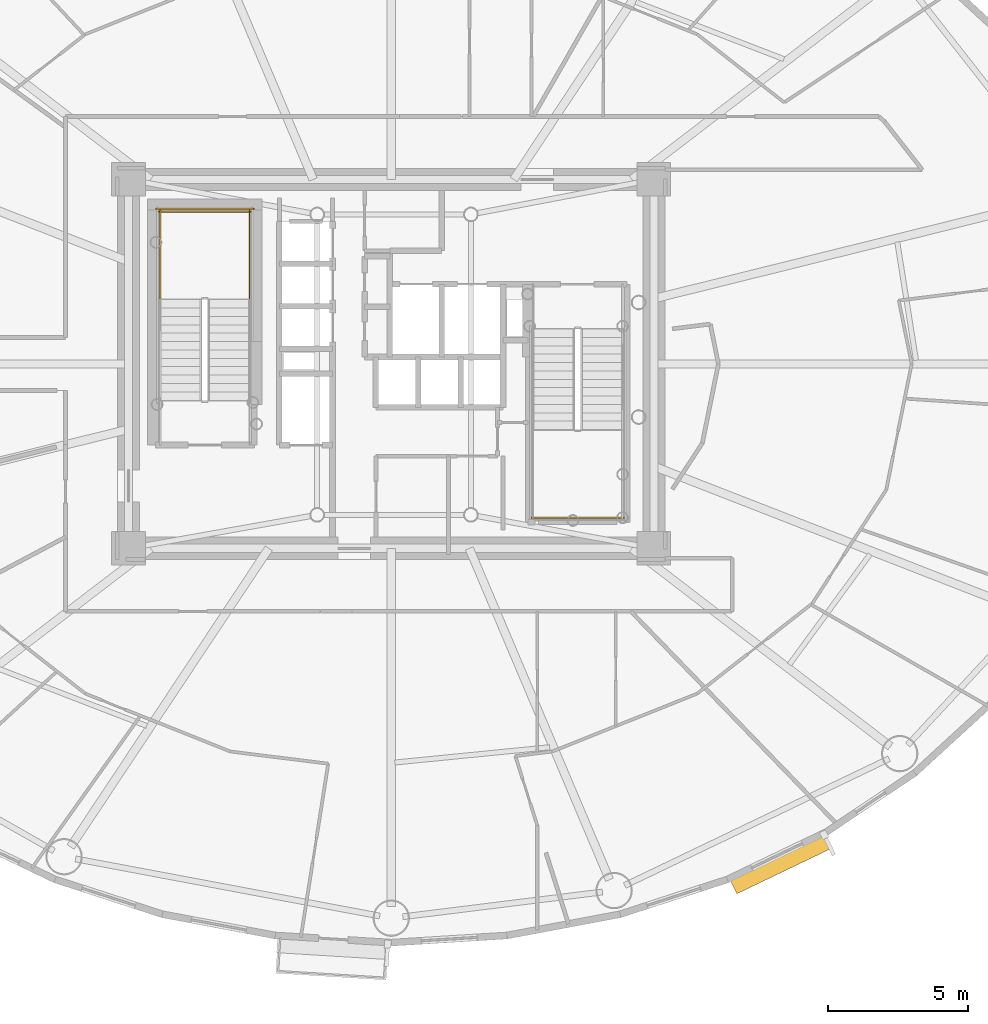
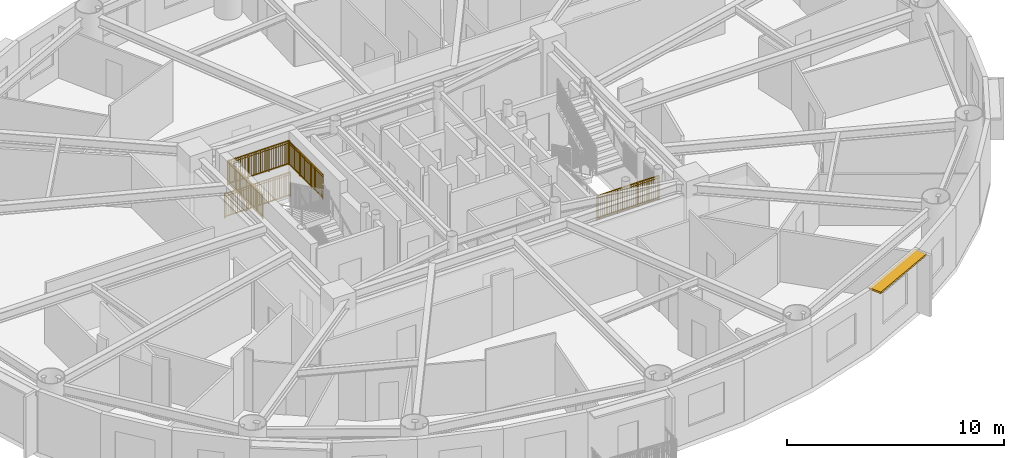
# One storey, part 15 of 17: 5 railings, 1 shading device.
"""IFC4 building model written with IfcOpenShell, lengths in metres."""

import ifcopenshell
import ifcopenshell.guid

model = None  # the IFC model being written
_history = None  # IfcOwnerHistory: only IFC2X3 demands one
_inside = {}  # id of a spatial element -> (the spatial element, [elements in it])
_under = {}  # id of a project, library or spatial element -> (it, [spatial elements below it])
_declared = {}  # id of a project -> (the project, [libraries it declares])
_typed = {}  # id of a type object -> (the type object, [elements of that type])
_made_of = {}  # id of a material, layer set ... -> (it, [elements and type objects made of it])


def new_model(schema):
    """Start an empty IFC model of exactly this schema.

    Asked for "IFC4X3", IfcOpenShell would pick the latest addendum, in which some entities
    have other attributes; the version numbers below select the first issue.
    IFC2X3 requires an IfcOwnerHistory on every rooted entity: one is made here for all.
    """
    global model, _history
    if schema == "IFC4X3":
        model = ifcopenshell.file(schema_version=(4, 3, 0, 0))
    else:
        model = ifcopenshell.file(schema=schema)
    _inside.clear()
    _under.clear()
    _declared.clear()
    _typed.clear()
    _made_of.clear()
    _history = None
    if model.schema == "IFC2X3":
        org = make("IfcOrganization", Name="unknown")
        user = make(
            "IfcPersonAndOrganization",
            ThePerson=make("IfcPerson", FamilyName="unknown"),
            TheOrganization=org,
        )
        app = make(
            "IfcApplication",
            ApplicationDeveloper=org,
            Version="unknown",
            ApplicationFullName="unknown",
            ApplicationIdentifier="unknown",
        )
        _history = make(
            "IfcOwnerHistory",
            OwningUser=user,
            OwningApplication=app,
            ChangeAction="ADDED",
            CreationDate=0,
        )
    return model


def make(cls, **values):
    """One entity of the class cls with the attributes given. An attribute that is None is left unset."""
    return model.create_entity(
        cls, **{name: value for name, value in values.items() if value is not None}
    )


def rooted(cls, **values):
    """An entity with a GlobalId (a new one), such as an element, a storey or a relation."""
    return make(cls, GlobalId=ifcopenshell.guid.new(), OwnerHistory=_history, **values)


def si_unit(unit_type, name, prefix=None):
    """IfcSIUnit, for example si_unit("LENGTHUNIT", "METRE", prefix="MILLI")."""
    return make("IfcSIUnit", UnitType=unit_type, Prefix=prefix, Name=name)


def assignment(units):
    """IfcUnitAssignment: the units of a project."""
    return None if units is None else make("IfcUnitAssignment", Units=units)


def point(xyz):
    """IfcCartesianPoint."""
    return None if xyz is None else make("IfcCartesianPoint", Coordinates=xyz)


def direction(xyz):
    """IfcDirection."""
    return None if xyz is None else make("IfcDirection", DirectionRatios=xyz)


def frame(location, z_axis=None, x_axis=None):
    """IfcAxis2Placement3D, a coordinate frame: its origin and axes. An axis left out is left unset."""
    return make(
        "IfcAxis2Placement3D",
        Location=point(location),
        Axis=direction(z_axis),
        RefDirection=direction(x_axis),
    )


def frame_2d(location, x_axis=None):
    """IfcAxis2Placement2D, a coordinate frame in the plane: its origin and x axis."""
    return make(
        "IfcAxis2Placement2D", Location=point(location), RefDirection=direction(x_axis)
    )


def origin():
    """The frame at (0, 0, 0) with its axes left unset."""
    return frame((0.0, 0.0, 0.0))


def origin_2d():
    """The frame at (0, 0) in the plane with its x axis left unset."""
    return frame_2d((0.0, 0.0))


def place(relative_to, where):
    """IfcLocalPlacement: puts the frame where relative to a parent placement (None: the world)."""
    return make(
        "IfcLocalPlacement", PlacementRelTo=relative_to, RelativePlacement=where
    )


def context(
    kind, dimensions, precision=None, world=None, true_north=None, identifier=None
):
    """IfcGeometricRepresentationContext, for example the 3D "Model" context."""
    return make(
        "IfcGeometricRepresentationContext",
        ContextIdentifier=identifier,
        ContextType=kind,
        CoordinateSpaceDimension=dimensions,
        Precision=precision,
        WorldCoordinateSystem=world,
        TrueNorth=true_north,
    )


def subcontext(parent, identifier, kind, view, scale=None):
    """IfcGeometricRepresentationSubContext, for example "Body" below "Model"."""
    return make(
        "IfcGeometricRepresentationSubContext",
        ContextIdentifier=identifier,
        ContextType=kind,
        ParentContext=parent,
        TargetScale=scale,
        TargetView=view,
    )


def project(units=None, contexts=None):
    """IfcProject with its units and contexts."""
    return rooted(
        "IfcProject",
        Name="project",
        RepresentationContexts=contexts,
        UnitsInContext=assignment(units),
    )


def spatial(cls, under=None, at=None, **own):
    """A site, building, storey or space (cls), placed at a placement, below another one or the project."""
    s = rooted(cls, ObjectPlacement=at, **own)
    if under is not None:
        _under.setdefault(under.id(), (under, []))[1].append(s)
    return s


def profile(cls, at=None, kind="AREA", **sizes):
    """A parametric profile (cls). Its sizes go by their IFC names, for example OverallWidth=200.0."""
    return make(cls, ProfileType=kind, Position=at, **sizes)


def rectangle(**sizes):
    """IfcRectangleProfileDef."""
    return profile("IfcRectangleProfileDef", **sizes)


def extrude(swept, where, along, depth):
    """IfcExtrudedAreaSolid: the profile swept, set in the frame where, extruded along a direction by depth."""
    return make(
        "IfcExtrudedAreaSolid",
        SweptArea=swept,
        Position=where,
        ExtrudedDirection=direction(along),
        Depth=depth,
    )


def shape(context_of_items, identifier, shape_type, items):
    """IfcShapeRepresentation: the items that make up one representation, for example the "Body"."""
    return make(
        "IfcShapeRepresentation",
        ContextOfItems=context_of_items,
        RepresentationIdentifier=identifier,
        RepresentationType=shape_type,
        Items=items,
    )


def source(mapping_origin, context_of_items, identifier, shape_type, items):
    """IfcRepresentationMap: a shape defined once, which mapped items show again and again."""
    return make(
        "IfcRepresentationMap",
        MappingOrigin=mapping_origin,
        MappedRepresentation=shape(context_of_items, identifier, shape_type, items),
    )


def transform(
    local_origin,
    x_axis=None,
    y_axis=None,
    z_axis=None,
    scale=None,
    scale2=None,
    scale3=None,
    uniform=True,
):
    """IfcCartesianTransformationOperator3D, or its non-uniform kind. x_axis, y_axis, z_axis: its Axis1, 2, 3."""
    if uniform:
        return make(
            "IfcCartesianTransformationOperator3D",
            Axis1=direction(x_axis),
            Axis2=direction(y_axis),
            LocalOrigin=point(local_origin),
            Scale=scale,
            Axis3=direction(z_axis),
        )
    return make(
        "IfcCartesianTransformationOperator3DnonUniform",
        Axis1=direction(x_axis),
        Axis2=direction(y_axis),
        LocalOrigin=point(local_origin),
        Scale=scale,
        Axis3=direction(z_axis),
        Scale2=scale2,
        Scale3=scale3,
    )


def mapped(mapping_source, mapping_target):
    """IfcMappedItem: shows the shape of a source again, moved by a transform."""
    return make(
        "IfcMappedItem", MappingSource=mapping_source, MappingTarget=mapping_target
    )


def material(Name=None, Category=None):
    """IfcMaterial."""
    return make("IfcMaterial", Name=Name, Category=Category)


def layer(
    of_material, thickness, ventilated=None, Name=None, Category=None, Priority=None
):
    """IfcMaterialLayer: one layer of a wall or slab, of a material (None: an air gap)."""
    return make(
        "IfcMaterialLayer",
        Material=of_material,
        LayerThickness=thickness,
        IsVentilated=ventilated,
        Name=Name,
        Category=Category,
        Priority=Priority,
    )


def layer_set(layers, Name=None):
    """IfcMaterialLayerSet."""
    return make("IfcMaterialLayerSet", MaterialLayers=layers, LayerSetName=Name)


def made_of(thing, what):
    """Note that an element or type object is made of a material, layer set ...; save() writes the relation."""
    if what is not None:
        _made_of.setdefault(what.id(), (what, []))[1].append(thing)
    return thing


def type_object(cls, material=None, **own):
    """A type object (cls), such as IfcWallType, which elements share."""
    return made_of(rooted(cls, **own), material)


def element(
    cls,
    number,
    at=None,
    inside=None,
    cuts=None,
    type_object=None,
    material=None,
    context=None,
    identifier="Body",
    shape_type=None,
    held_by="IfcProductDefinitionShape",
    body=None,
    shapes=None,
    **own,
):
    """One element of the class cls, such as IfcWall. Its Tag is "e" and its number.

    at: its placement. inside: the storey or other place that contains it. cuts: it is an
    opening in that element (IfcRelVoidsElement). A single representation is given by context,
    identifier, shape_type and body (its items); several are given by shapes. held_by: the class
    of the entity that holds the representations. save() writes the other relations.
    """
    e = rooted(cls, Tag="e%d" % number, ObjectPlacement=at, **own)
    if body is not None:
        shapes = [shape(context, identifier, shape_type, body)]
    if shapes is not None:
        e.Representation = make(held_by, Representations=shapes)
    if inside is not None:
        _inside.setdefault(inside.id(), (inside, []))[1].append(e)
    if cuts is not None:
        rooted(
            "IfcRelVoidsElement", RelatingBuildingElement=cuts, RelatedOpeningElement=e
        )
    if type_object is not None:
        _typed.setdefault(type_object.id(), (type_object, []))[1].append(e)
    return made_of(e, material)


def aggregate(whole, parts):
    """IfcRelAggregates: a whole, such as a stair, and the parts it consists of."""
    return rooted("IfcRelAggregates", RelatingObject=whole, RelatedObjects=parts)


def save(model, path):
    """Write the relations noted so far, then the file.

    IfcRelAggregates (storeys below a building ...), IfcRelContainedInSpatialStructure (elements
    in a storey), IfcRelDefinesByType, IfcRelAssociatesMaterial and IfcRelDeclares: one each for
    every whole, place, type object, material and project.
    """
    for whole, parts in _under.values():
        aggregate(whole, parts)
    for where, things in _inside.values():
        rooted(
            "IfcRelContainedInSpatialStructure",
            RelatedElements=things,
            RelatingStructure=where,
        )
    for kind, things in _typed.values():
        rooted("IfcRelDefinesByType", RelatedObjects=things, RelatingType=kind)
    for what, things in _made_of.values():
        rooted("IfcRelAssociatesMaterial", RelatedObjects=things, RelatingMaterial=what)
    for by, libraries in _declared.values():
        rooted("IfcRelDeclares", RelatingContext=by, RelatedDefinitions=libraries)
    model.write(path)


model = new_model("IFC4")

# Units and contexts
model_context = context("Model", 3, precision=1e-05, world=origin(), true_north=direction((0.0, 1.0)))
body_context = subcontext(model_context, "Body", "Model", "MODEL_VIEW")
ifc_project = project(units=[si_unit("LENGTHUNIT", "METRE"), si_unit("AREAUNIT", "SQUARE_METRE"), si_unit("VOLUMEUNIT", "CUBIC_METRE"), si_unit("PLANEANGLEUNIT", "RADIAN"), si_unit("MASSUNIT", "GRAM", prefix="KILO")], contexts=[model_context])

# Site, building, storey
site_placement = place(None, origin())
site = spatial("IfcSite", under=ifc_project, at=site_placement, CompositionType="ELEMENT")
building_placement = place(site_placement, origin())
building = spatial("IfcBuilding", under=site, at=building_placement, Name="Linh Dai School and Residence Tower", CompositionType="ELEMENT")
storey_placement = place(building_placement, frame((0.0, 0.0, 201.14990234375)))
storey = spatial("IfcBuildingStorey", under=building, at=storey_placement, Name="L49", CompositionType="ELEMENT", Elevation=201.14990234375)

# Shading device
ifc_material_1 = material(Name="Terracotta Ceramic Sunshade", Category="masonry")
ifc_layer = layer(ifc_material_1, 0.10009765625)
ifc_layer_set = layer_set([ifc_layer], Name="Terracotta Ceramic Sunshade")
shading_device_type = type_object("IfcShadingDeviceType", Name="SHD-TC-650", PredefinedType="USERDEFINED", material=ifc_layer_set)
shared_shape_1 = source(origin(), body_context, "Body", "SweptSolid", [
    extrude(rectangle(XDim=3.773193359375, YDim=0.64990234375, at=origin_2d()), origin(), (0.0, 0.0, 1.0), 0.10009765625),
])
shading_device_placement = place(storey_placement, frame((49.9248046875, 9.149658203125, 3.330078125), z_axis=(0.0, 0.0, 1.0), x_axis=(-0.901569306779, -0.432634701653, 0.0)))
element("IfcShadingDevice", 1, at=shading_device_placement, inside=storey, type_object=shading_device_type, Name="L49 Terracotta Horizontal Sunshade Band 34", ObjectType="SUNSHADE", PredefinedType="USERDEFINED", context=body_context, shape_type="MappedRepresentation", body=[
    mapped(shared_shape_1, transform((0.0, 0.0, 0.0), x_axis=(1.0, 0.0, 0.0), y_axis=(0.0, 1.0, 0.0), z_axis=(0.0, 0.0, 1.0), scale=1.0)),
])

# Railings
ifc_material_2 = material(Name="Structural Steel S355JR", Category="steel")
railing_type = type_object("IfcRailingType", Name="RL-ST-GUARD-1400", PredefinedType="GUARDRAIL", material=ifc_material_2)
shared_shape_2 = source(origin(), body_context, "Body", "SweptSolid", [
    extrude(rectangle(XDim=0.048095703125, YDim=0.048095703125, at=origin_2d()), frame((0.0, 0.0, 1.3759765625), z_axis=(-1.0, 0.0, 0.0), x_axis=(0.0, -1.0, 0.0)), (0.0, 0.0, 1.0), 3.300048828125),
    extrude(rectangle(XDim=0.048095703125, YDim=0.048095703125, at=origin_2d()), frame((0.0, 0.0, 0.10009765625), z_axis=(-1.0, 0.0, 0.0), x_axis=(0.0, -1.0, 0.0)), (0.0, 0.0, 1.0), 3.300048828125),
    extrude(rectangle(XDim=0.030029296875, YDim=0.030029296875, at=origin_2d()), frame((0.0, 0.0, 1.239990234375), z_axis=(-1.0, 0.0, 0.0), x_axis=(0.0, -1.0, 0.0)), (0.0, 0.0, 1.0), 3.300048828125),
    extrude(rectangle(XDim=0.02001953125, YDim=0.02001953125, at=origin_2d()), frame((-0.09716796875, 0.0, 0.10009765625)), (0.0, 0.0, 1.0), 1.251708984375),
    extrude(rectangle(XDim=0.02001953125, YDim=0.02001953125, at=origin_2d()), frame((-0.194091796875, 0.0, 0.10009765625)), (0.0, 0.0, 1.0), 1.251708984375),
    extrude(rectangle(XDim=0.02001953125, YDim=0.02001953125, at=origin_2d()), frame((-0.291259765625, 0.0, 0.10009765625)), (0.0, 0.0, 1.0), 1.251708984375),
    extrude(rectangle(XDim=0.02001953125, YDim=0.02001953125, at=origin_2d()), frame((-0.38818359375, 0.0, 0.10009765625)), (0.0, 0.0, 1.0), 1.251708984375),
    extrude(rectangle(XDim=0.02001953125, YDim=0.02001953125, at=origin_2d()), frame((-0.4853515625, 0.0, 0.10009765625)), (0.0, 0.0, 1.0), 1.251708984375),
    extrude(rectangle(XDim=0.02001953125, YDim=0.02001953125, at=origin_2d()), frame((-0.582275390625, 0.0, 0.10009765625)), (0.0, 0.0, 1.0), 1.251708984375),
    extrude(rectangle(XDim=0.02001953125, YDim=0.02001953125, at=origin_2d()), frame((-0.679443359375, 0.0, 0.10009765625)), (0.0, 0.0, 1.0), 1.251708984375),
    extrude(rectangle(XDim=0.02001953125, YDim=0.02001953125, at=origin_2d()), frame((-0.7763671875, 0.0, 0.10009765625)), (0.0, 0.0, 1.0), 1.251708984375),
    extrude(rectangle(XDim=0.02001953125, YDim=0.02001953125, at=origin_2d()), frame((-0.87353515625, 0.0, 0.10009765625)), (0.0, 0.0, 1.0), 1.251708984375),
    extrude(rectangle(XDim=0.02001953125, YDim=0.02001953125, at=origin_2d()), frame((-0.970703125, 0.0, 0.10009765625)), (0.0, 0.0, 1.0), 1.251708984375),
    extrude(rectangle(XDim=0.02001953125, YDim=0.02001953125, at=origin_2d()), frame((-1.164794921875, 0.0, 0.10009765625)), (0.0, 0.0, 1.0), 1.251708984375),
    extrude(rectangle(XDim=0.02001953125, YDim=0.02001953125, at=origin_2d()), frame((-1.26171875, 0.0, 0.10009765625)), (0.0, 0.0, 1.0), 1.251708984375),
    extrude(rectangle(XDim=0.02001953125, YDim=0.02001953125, at=origin_2d()), frame((-1.35888671875, 0.0, 0.10009765625)), (0.0, 0.0, 1.0), 1.251708984375),
    extrude(rectangle(XDim=0.02001953125, YDim=0.02001953125, at=origin_2d()), frame((-1.455810546875, 0.0, 0.10009765625)), (0.0, 0.0, 1.0), 1.251708984375),
    extrude(rectangle(XDim=0.02001953125, YDim=0.02001953125, at=origin_2d()), frame((-1.552978515625, 0.0, 0.10009765625)), (0.0, 0.0, 1.0), 1.251708984375),
    extrude(rectangle(XDim=0.02001953125, YDim=0.02001953125, at=origin_2d()), frame((-1.64990234375, 0.0, 0.10009765625)), (0.0, 0.0, 1.0), 1.251708984375),
    extrude(rectangle(XDim=0.02001953125, YDim=0.02001953125, at=origin_2d()), frame((-1.7470703125, 0.0, 0.10009765625)), (0.0, 0.0, 1.0), 1.251708984375),
    extrude(rectangle(XDim=0.02001953125, YDim=0.02001953125, at=origin_2d()), frame((-1.84423828125, 0.0, 0.10009765625)), (0.0, 0.0, 1.0), 1.251708984375),
    extrude(rectangle(XDim=0.02001953125, YDim=0.02001953125, at=origin_2d()), frame((-1.941162109375, 0.0, 0.10009765625)), (0.0, 0.0, 1.0), 1.251708984375),
    extrude(rectangle(XDim=0.02001953125, YDim=0.02001953125, at=origin_2d()), frame((-2.038330078125, 0.0, 0.10009765625)), (0.0, 0.0, 1.0), 1.251708984375),
    extrude(rectangle(XDim=0.02001953125, YDim=0.02001953125, at=origin_2d()), frame((-2.13525390625, 0.0, 0.10009765625)), (0.0, 0.0, 1.0), 1.251708984375),
    extrude(rectangle(XDim=0.02001953125, YDim=0.02001953125, at=origin_2d()), frame((-2.329345703125, 0.0, 0.10009765625)), (0.0, 0.0, 1.0), 1.251708984375),
    extrude(rectangle(XDim=0.02001953125, YDim=0.02001953125, at=origin_2d()), frame((-2.426513671875, 0.0, 0.10009765625)), (0.0, 0.0, 1.0), 1.251708984375),
    extrude(rectangle(XDim=0.02001953125, YDim=0.02001953125, at=origin_2d()), frame((-2.523681640625, 0.0, 0.10009765625)), (0.0, 0.0, 1.0), 1.251708984375),
    extrude(rectangle(XDim=0.02001953125, YDim=0.02001953125, at=origin_2d()), frame((-2.62060546875, 0.0, 0.10009765625)), (0.0, 0.0, 1.0), 1.251708984375),
    extrude(rectangle(XDim=0.02001953125, YDim=0.02001953125, at=origin_2d()), frame((-2.7177734375, 0.0, 0.10009765625)), (0.0, 0.0, 1.0), 1.251708984375),
    extrude(rectangle(XDim=0.02001953125, YDim=0.02001953125, at=origin_2d()), frame((-2.814697265625, 0.0, 0.10009765625)), (0.0, 0.0, 1.0), 1.251708984375),
    extrude(rectangle(XDim=0.02001953125, YDim=0.02001953125, at=origin_2d()), frame((-2.911865234375, 0.0, 0.10009765625)), (0.0, 0.0, 1.0), 1.251708984375),
    extrude(rectangle(XDim=0.02001953125, YDim=0.02001953125, at=origin_2d()), frame((-3.0087890625, 0.0, 0.10009765625)), (0.0, 0.0, 1.0), 1.251708984375),
    extrude(rectangle(XDim=0.02001953125, YDim=0.02001953125, at=origin_2d()), frame((-3.10595703125, 0.0, 0.10009765625)), (0.0, 0.0, 1.0), 1.251708984375),
    extrude(rectangle(XDim=0.02001953125, YDim=0.02001953125, at=origin_2d()), frame((-3.202880859375, 0.0, 0.10009765625)), (0.0, 0.0, 1.0), 1.251708984375),
    extrude(rectangle(XDim=0.0419921875, YDim=0.0419921875, at=origin_2d()), origin(), (0.0, 0.0, 1.0), 1.3759765625),
    extrude(rectangle(XDim=0.0419921875, YDim=0.0419921875, at=origin_2d()), frame((-1.10009765625, 0.0, 0.0)), (0.0, 0.0, 1.0), 1.3759765625),
    extrude(rectangle(XDim=0.0419921875, YDim=0.0419921875, at=origin_2d()), frame((-2.199951171875, 0.0, 0.0)), (0.0, 0.0, 1.0), 1.3759765625),
    extrude(rectangle(XDim=0.0419921875, YDim=0.0419921875, at=origin_2d()), frame((-3.300048828125, 0.0, 0.0)), (0.0, 0.0, 1.0), 1.3759765625),
])
railing_1_placement = place(storey_placement, frame((30.97998046875, 32.449951171875, 1.875)))
element("IfcRailing", 2, at=railing_1_placement, inside=storey, type_object=railing_type, Name="L49 ST1 stair guard 5", PredefinedType="GUARDRAIL", context=body_context, shape_type="MappedRepresentation", body=[
    mapped(shared_shape_2, transform((0.0, 0.0, 0.0), x_axis=(1.0, 0.0, 0.0), y_axis=(0.0, 1.0, 0.0), z_axis=(0.0, 0.0, 1.0), scale=1.0)),
])
shared_shape_3 = source(origin(), body_context, "Body", "SweptSolid", [
    extrude(rectangle(XDim=0.048095703125, YDim=0.048095703125, at=origin_2d()), frame((0.0, 0.0, 1.3759765625), z_axis=(-1.0, 0.0, 0.0), x_axis=(0.0, -1.0, 0.0)), (0.0, 0.0, 1.0), 3.5),
    extrude(rectangle(XDim=0.048095703125, YDim=0.048095703125, at=origin_2d()), frame((0.0, 0.0, 0.10009765625), z_axis=(-1.0, 0.0, 0.0), x_axis=(0.0, -1.0, 0.0)), (0.0, 0.0, 1.0), 3.5),
    extrude(rectangle(XDim=0.030029296875, YDim=0.030029296875, at=origin_2d()), frame((0.0, 0.0, 1.239990234375), z_axis=(-1.0, 0.0, 0.0), x_axis=(0.0, -1.0, 0.0)), (0.0, 0.0, 1.0), 3.5),
    extrude(rectangle(XDim=0.02001953125, YDim=0.02001953125, at=origin_2d()), frame((-0.09716796875, 0.0, 0.10009765625)), (0.0, 0.0, 1.0), 1.251708984375),
    extrude(rectangle(XDim=0.02001953125, YDim=0.02001953125, at=origin_2d()), frame((-0.1943359375, 0.0, 0.10009765625)), (0.0, 0.0, 1.0), 1.251708984375),
    extrude(rectangle(XDim=0.02001953125, YDim=0.02001953125, at=origin_2d()), frame((-0.291748046875, 0.0, 0.10009765625)), (0.0, 0.0, 1.0), 1.251708984375),
    extrude(rectangle(XDim=0.02001953125, YDim=0.02001953125, at=origin_2d()), frame((-0.388916015625, 0.0, 0.10009765625)), (0.0, 0.0, 1.0), 1.251708984375),
    extrude(rectangle(XDim=0.02001953125, YDim=0.02001953125, at=origin_2d()), frame((-0.486083984375, 0.0, 0.10009765625)), (0.0, 0.0, 1.0), 1.251708984375),
    extrude(rectangle(XDim=0.02001953125, YDim=0.02001953125, at=origin_2d()), frame((-0.583251953125, 0.0, 0.10009765625)), (0.0, 0.0, 1.0), 1.251708984375),
    extrude(rectangle(XDim=0.02001953125, YDim=0.02001953125, at=origin_2d()), frame((-0.6806640625, 0.0, 0.10009765625)), (0.0, 0.0, 1.0), 1.251708984375),
    extrude(rectangle(XDim=0.02001953125, YDim=0.02001953125, at=origin_2d()), frame((-0.77783203125, 0.0, 0.10009765625)), (0.0, 0.0, 1.0), 1.251708984375),
    extrude(rectangle(XDim=0.02001953125, YDim=0.02001953125, at=origin_2d()), frame((-0.875, 0.0, 0.10009765625)), (0.0, 0.0, 1.0), 1.251708984375),
    extrude(rectangle(XDim=0.02001953125, YDim=0.02001953125, at=origin_2d()), frame((-0.97216796875, 0.0, 0.10009765625)), (0.0, 0.0, 1.0), 1.251708984375),
    extrude(rectangle(XDim=0.02001953125, YDim=0.02001953125, at=origin_2d()), frame((-1.0693359375, 0.0, 0.10009765625)), (0.0, 0.0, 1.0), 1.251708984375),
    extrude(rectangle(XDim=0.02001953125, YDim=0.02001953125, at=origin_2d()), frame((-1.263916015625, 0.0, 0.10009765625)), (0.0, 0.0, 1.0), 1.251708984375),
    extrude(rectangle(XDim=0.02001953125, YDim=0.02001953125, at=origin_2d()), frame((-1.361083984375, 0.0, 0.10009765625)), (0.0, 0.0, 1.0), 1.251708984375),
    extrude(rectangle(XDim=0.02001953125, YDim=0.02001953125, at=origin_2d()), frame((-1.458251953125, 0.0, 0.10009765625)), (0.0, 0.0, 1.0), 1.251708984375),
    extrude(rectangle(XDim=0.02001953125, YDim=0.02001953125, at=origin_2d()), frame((-1.5556640625, 0.0, 0.10009765625)), (0.0, 0.0, 1.0), 1.251708984375),
    extrude(rectangle(XDim=0.02001953125, YDim=0.02001953125, at=origin_2d()), frame((-1.65283203125, 0.0, 0.10009765625)), (0.0, 0.0, 1.0), 1.251708984375),
    extrude(rectangle(XDim=0.02001953125, YDim=0.02001953125, at=origin_2d()), frame((-1.75, 0.0, 0.10009765625)), (0.0, 0.0, 1.0), 1.251708984375),
    extrude(rectangle(XDim=0.02001953125, YDim=0.02001953125, at=origin_2d()), frame((-1.84716796875, 0.0, 0.10009765625)), (0.0, 0.0, 1.0), 1.251708984375),
    extrude(rectangle(XDim=0.02001953125, YDim=0.02001953125, at=origin_2d()), frame((-1.9443359375, 0.0, 0.10009765625)), (0.0, 0.0, 1.0), 1.251708984375),
    extrude(rectangle(XDim=0.02001953125, YDim=0.02001953125, at=origin_2d()), frame((-2.041748046875, 0.0, 0.10009765625)), (0.0, 0.0, 1.0), 1.251708984375),
    extrude(rectangle(XDim=0.02001953125, YDim=0.02001953125, at=origin_2d()), frame((-2.138916015625, 0.0, 0.10009765625)), (0.0, 0.0, 1.0), 1.251708984375),
    extrude(rectangle(XDim=0.02001953125, YDim=0.02001953125, at=origin_2d()), frame((-2.236083984375, 0.0, 0.10009765625)), (0.0, 0.0, 1.0), 1.251708984375),
    extrude(rectangle(XDim=0.02001953125, YDim=0.02001953125, at=origin_2d()), frame((-2.4306640625, 0.0, 0.10009765625)), (0.0, 0.0, 1.0), 1.251708984375),
    extrude(rectangle(XDim=0.02001953125, YDim=0.02001953125, at=origin_2d()), frame((-2.52783203125, 0.0, 0.10009765625)), (0.0, 0.0, 1.0), 1.251708984375),
    extrude(rectangle(XDim=0.02001953125, YDim=0.02001953125, at=origin_2d()), frame((-2.625, 0.0, 0.10009765625)), (0.0, 0.0, 1.0), 1.251708984375),
    extrude(rectangle(XDim=0.02001953125, YDim=0.02001953125, at=origin_2d()), frame((-2.72216796875, 0.0, 0.10009765625)), (0.0, 0.0, 1.0), 1.251708984375),
    extrude(rectangle(XDim=0.02001953125, YDim=0.02001953125, at=origin_2d()), frame((-2.8193359375, 0.0, 0.10009765625)), (0.0, 0.0, 1.0), 1.251708984375),
    extrude(rectangle(XDim=0.02001953125, YDim=0.02001953125, at=origin_2d()), frame((-2.916748046875, 0.0, 0.10009765625)), (0.0, 0.0, 1.0), 1.251708984375),
    extrude(rectangle(XDim=0.02001953125, YDim=0.02001953125, at=origin_2d()), frame((-3.013916015625, 0.0, 0.10009765625)), (0.0, 0.0, 1.0), 1.251708984375),
    extrude(rectangle(XDim=0.02001953125, YDim=0.02001953125, at=origin_2d()), frame((-3.111083984375, 0.0, 0.10009765625)), (0.0, 0.0, 1.0), 1.251708984375),
    extrude(rectangle(XDim=0.02001953125, YDim=0.02001953125, at=origin_2d()), frame((-3.208251953125, 0.0, 0.10009765625)), (0.0, 0.0, 1.0), 1.251708984375),
    extrude(rectangle(XDim=0.02001953125, YDim=0.02001953125, at=origin_2d()), frame((-3.3056640625, 0.0, 0.10009765625)), (0.0, 0.0, 1.0), 1.251708984375),
    extrude(rectangle(XDim=0.02001953125, YDim=0.02001953125, at=origin_2d()), frame((-3.40283203125, 0.0, 0.10009765625)), (0.0, 0.0, 1.0), 1.251708984375),
    extrude(rectangle(XDim=0.0419921875, YDim=0.0419921875, at=origin_2d()), origin(), (0.0, 0.0, 1.0), 1.3759765625),
    extrude(rectangle(XDim=0.0419921875, YDim=0.0419921875, at=origin_2d()), frame((-1.166748046875, 0.0, 0.0)), (0.0, 0.0, 1.0), 1.3759765625),
    extrude(rectangle(XDim=0.0419921875, YDim=0.0419921875, at=origin_2d()), frame((-2.333251953125, 0.0, 0.0)), (0.0, 0.0, 1.0), 1.3759765625),
    extrude(rectangle(XDim=0.0419921875, YDim=0.0419921875, at=origin_2d()), frame((-3.5, 0.0, 0.0)), (0.0, 0.0, 1.0), 1.3759765625),
])
railing_2_placement = place(storey_placement, frame((31.080078125, 32.550048828125, 0.0)))
element("IfcRailing", 3, at=railing_2_placement, inside=storey, type_object=railing_type, Name="L49 ST1 stair guard 12", PredefinedType="GUARDRAIL", context=body_context, shape_type="MappedRepresentation", body=[
    mapped(shared_shape_3, transform((0.0, 0.0, 0.0), x_axis=(1.0, 0.0, 0.0), y_axis=(0.0, 1.0, 0.0), z_axis=(0.0, 0.0, 1.0), scale=1.0)),
])
shared_shape_4 = source(origin(), body_context, "Body", "SweptSolid", [
    extrude(rectangle(XDim=0.048095703125, YDim=0.048095703125, at=origin_2d()), frame((0.0, 0.0, 1.3759765625), z_axis=(0.0, 1.0, 0.0), x_axis=(-1.0, 0.0, 0.0)), (0.0, 0.0, 1.0), 3.199951171875),
    extrude(rectangle(XDim=0.048095703125, YDim=0.048095703125, at=origin_2d()), frame((0.0, 0.0, 0.10009765625), z_axis=(0.0, 1.0, 0.0), x_axis=(-1.0, 0.0, 0.0)), (0.0, 0.0, 1.0), 3.199951171875),
    extrude(rectangle(XDim=0.030029296875, YDim=0.030029296875, at=origin_2d()), frame((0.0, 0.0, 1.239990234375), z_axis=(0.0, 1.0, 0.0), x_axis=(-1.0, 0.0, 0.0)), (0.0, 0.0, 1.0), 3.199951171875),
    extrude(rectangle(XDim=0.02001953125, YDim=0.02001953125, at=origin_2d()), frame((0.0, 0.096923828125, 0.10009765625)), (0.0, 0.0, 1.0), 1.251708984375),
    extrude(rectangle(XDim=0.02001953125, YDim=0.02001953125, at=origin_2d()), frame((0.0, 0.19384765625, 0.10009765625)), (0.0, 0.0, 1.0), 1.251708984375),
    extrude(rectangle(XDim=0.02001953125, YDim=0.02001953125, at=origin_2d()), frame((0.0, 0.291015625, 0.10009765625)), (0.0, 0.0, 1.0), 1.251708984375),
    extrude(rectangle(XDim=0.02001953125, YDim=0.02001953125, at=origin_2d()), frame((0.0, 0.387939453125, 0.10009765625)), (0.0, 0.0, 1.0), 1.251708984375),
    extrude(rectangle(XDim=0.02001953125, YDim=0.02001953125, at=origin_2d()), frame((0.0, 0.48486328125, 0.10009765625)), (0.0, 0.0, 1.0), 1.251708984375),
    extrude(rectangle(XDim=0.02001953125, YDim=0.02001953125, at=origin_2d()), frame((0.0, 0.581787109375, 0.10009765625)), (0.0, 0.0, 1.0), 1.251708984375),
    extrude(rectangle(XDim=0.02001953125, YDim=0.02001953125, at=origin_2d()), frame((0.0, 0.6787109375, 0.10009765625)), (0.0, 0.0, 1.0), 1.251708984375),
    extrude(rectangle(XDim=0.02001953125, YDim=0.02001953125, at=origin_2d()), frame((0.0, 0.775634765625, 0.10009765625)), (0.0, 0.0, 1.0), 1.251708984375),
    extrude(rectangle(XDim=0.02001953125, YDim=0.02001953125, at=origin_2d()), frame((0.0, 0.872802734375, 0.10009765625)), (0.0, 0.0, 1.0), 1.251708984375),
    extrude(rectangle(XDim=0.02001953125, YDim=0.02001953125, at=origin_2d()), frame((0.0, 0.9697265625, 0.10009765625)), (0.0, 0.0, 1.0), 1.251708984375),
    extrude(rectangle(XDim=0.02001953125, YDim=0.02001953125, at=origin_2d()), frame((0.0, 1.16357421875, 0.10009765625)), (0.0, 0.0, 1.0), 1.251708984375),
    extrude(rectangle(XDim=0.02001953125, YDim=0.02001953125, at=origin_2d()), frame((0.0, 1.260498046875, 0.10009765625)), (0.0, 0.0, 1.0), 1.251708984375),
    extrude(rectangle(XDim=0.02001953125, YDim=0.02001953125, at=origin_2d()), frame((0.0, 1.357666015625, 0.10009765625)), (0.0, 0.0, 1.0), 1.251708984375),
    extrude(rectangle(XDim=0.02001953125, YDim=0.02001953125, at=origin_2d()), frame((0.0, 1.45458984375, 0.10009765625)), (0.0, 0.0, 1.0), 1.251708984375),
    extrude(rectangle(XDim=0.02001953125, YDim=0.02001953125, at=origin_2d()), frame((0.0, 1.551513671875, 0.10009765625)), (0.0, 0.0, 1.0), 1.251708984375),
    extrude(rectangle(XDim=0.02001953125, YDim=0.02001953125, at=origin_2d()), frame((0.0, 1.6484375, 0.10009765625)), (0.0, 0.0, 1.0), 1.251708984375),
    extrude(rectangle(XDim=0.02001953125, YDim=0.02001953125, at=origin_2d()), frame((0.0, 1.745361328125, 0.10009765625)), (0.0, 0.0, 1.0), 1.251708984375),
    extrude(rectangle(XDim=0.02001953125, YDim=0.02001953125, at=origin_2d()), frame((0.0, 1.84228515625, 0.10009765625)), (0.0, 0.0, 1.0), 1.251708984375),
    extrude(rectangle(XDim=0.02001953125, YDim=0.02001953125, at=origin_2d()), frame((0.0, 1.939453125, 0.10009765625)), (0.0, 0.0, 1.0), 1.251708984375),
    extrude(rectangle(XDim=0.02001953125, YDim=0.02001953125, at=origin_2d()), frame((0.0, 2.036376953125, 0.10009765625)), (0.0, 0.0, 1.0), 1.251708984375),
    extrude(rectangle(XDim=0.02001953125, YDim=0.02001953125, at=origin_2d()), frame((0.0, 2.230224609375, 0.10009765625)), (0.0, 0.0, 1.0), 1.251708984375),
    extrude(rectangle(XDim=0.02001953125, YDim=0.02001953125, at=origin_2d()), frame((0.0, 2.3271484375, 0.10009765625)), (0.0, 0.0, 1.0), 1.251708984375),
    extrude(rectangle(XDim=0.02001953125, YDim=0.02001953125, at=origin_2d()), frame((0.0, 2.42431640625, 0.10009765625)), (0.0, 0.0, 1.0), 1.251708984375),
    extrude(rectangle(XDim=0.02001953125, YDim=0.02001953125, at=origin_2d()), frame((0.0, 2.521240234375, 0.10009765625)), (0.0, 0.0, 1.0), 1.251708984375),
    extrude(rectangle(XDim=0.02001953125, YDim=0.02001953125, at=origin_2d()), frame((0.0, 2.6181640625, 0.10009765625)), (0.0, 0.0, 1.0), 1.251708984375),
    extrude(rectangle(XDim=0.02001953125, YDim=0.02001953125, at=origin_2d()), frame((0.0, 2.715087890625, 0.10009765625)), (0.0, 0.0, 1.0), 1.251708984375),
    extrude(rectangle(XDim=0.02001953125, YDim=0.02001953125, at=origin_2d()), frame((0.0, 2.81201171875, 0.10009765625)), (0.0, 0.0, 1.0), 1.251708984375),
    extrude(rectangle(XDim=0.02001953125, YDim=0.02001953125, at=origin_2d()), frame((0.0, 2.908935546875, 0.10009765625)), (0.0, 0.0, 1.0), 1.251708984375),
    extrude(rectangle(XDim=0.02001953125, YDim=0.02001953125, at=origin_2d()), frame((0.0, 3.006103515625, 0.10009765625)), (0.0, 0.0, 1.0), 1.251708984375),
    extrude(rectangle(XDim=0.02001953125, YDim=0.02001953125, at=origin_2d()), frame((0.0, 3.10302734375, 0.10009765625)), (0.0, 0.0, 1.0), 1.251708984375),
    extrude(rectangle(XDim=0.0419921875, YDim=0.0419921875, at=origin_2d()), origin(), (0.0, 0.0, 1.0), 1.3759765625),
    extrude(rectangle(XDim=0.0419921875, YDim=0.0419921875, at=origin_2d()), frame((0.0, 1.066650390625, 0.0)), (0.0, 0.0, 1.0), 1.3759765625),
    extrude(rectangle(XDim=0.0419921875, YDim=0.0419921875, at=origin_2d()), frame((0.0, 2.13330078125, 0.0)), (0.0, 0.0, 1.0), 1.3759765625),
    extrude(rectangle(XDim=0.0419921875, YDim=0.0419921875, at=origin_2d()), frame((0.0, 3.199951171875, 0.0)), (0.0, 0.0, 1.0), 1.3759765625),
])
for number, where, name in (
    (4, (30.929931640625, 29.300048828125, 1.875), "L49 ST1 stair guard 3"),
    (5, (27.72998046875, 29.300048828125, 1.875), "L49 ST1 stair guard 4"),
):
    element("IfcRailing", number, at=place(storey_placement, frame(where)), inside=storey, type_object=railing_type, Name=name, PredefinedType="GUARDRAIL", context=body_context, shape_type="MappedRepresentation", body=[
        mapped(shared_shape_4, transform((0.0, 0.0, 0.0), x_axis=(1.0, 0.0, 0.0), y_axis=(0.0, 1.0, 0.0), z_axis=(0.0, 0.0, 1.0), scale=1.0)),
    ])
shared_shape_5 = source(origin(), body_context, "Body", "SweptSolid", [
    extrude(rectangle(XDim=0.048095703125, YDim=0.048095703125, at=origin_2d()), frame((0.0, 0.0, 1.3759765625), z_axis=(1.0, 0.0, 0.0), x_axis=(0.0, 1.0, 0.0)), (0.0, 0.0, 1.0), 3.300048828125),
    extrude(rectangle(XDim=0.048095703125, YDim=0.048095703125, at=origin_2d()), frame((0.0, 0.0, 0.10009765625), z_axis=(1.0, 0.0, 0.0), x_axis=(0.0, 1.0, 0.0)), (0.0, 0.0, 1.0), 3.300048828125),
    extrude(rectangle(XDim=0.030029296875, YDim=0.030029296875, at=origin_2d()), frame((0.0, 0.0, 1.239990234375), z_axis=(1.0, 0.0, 0.0), x_axis=(0.0, 1.0, 0.0)), (0.0, 0.0, 1.0), 3.300048828125),
    extrude(rectangle(XDim=0.02001953125, YDim=0.02001953125, at=origin_2d()), frame((0.09716796875, 0.0, 0.10009765625)), (0.0, 0.0, 1.0), 1.251708984375),
    extrude(rectangle(XDim=0.02001953125, YDim=0.02001953125, at=origin_2d()), frame((0.194091796875, 0.0, 0.10009765625)), (0.0, 0.0, 1.0), 1.251708984375),
    extrude(rectangle(XDim=0.02001953125, YDim=0.02001953125, at=origin_2d()), frame((0.291259765625, 0.0, 0.10009765625)), (0.0, 0.0, 1.0), 1.251708984375),
    extrude(rectangle(XDim=0.02001953125, YDim=0.02001953125, at=origin_2d()), frame((0.38818359375, 0.0, 0.10009765625)), (0.0, 0.0, 1.0), 1.251708984375),
    extrude(rectangle(XDim=0.02001953125, YDim=0.02001953125, at=origin_2d()), frame((0.4853515625, 0.0, 0.10009765625)), (0.0, 0.0, 1.0), 1.251708984375),
    extrude(rectangle(XDim=0.02001953125, YDim=0.02001953125, at=origin_2d()), frame((0.582275390625, 0.0, 0.10009765625)), (0.0, 0.0, 1.0), 1.251708984375),
    extrude(rectangle(XDim=0.02001953125, YDim=0.02001953125, at=origin_2d()), frame((0.679443359375, 0.0, 0.10009765625)), (0.0, 0.0, 1.0), 1.251708984375),
    extrude(rectangle(XDim=0.02001953125, YDim=0.02001953125, at=origin_2d()), frame((0.7763671875, 0.0, 0.10009765625)), (0.0, 0.0, 1.0), 1.251708984375),
    extrude(rectangle(XDim=0.02001953125, YDim=0.02001953125, at=origin_2d()), frame((0.87353515625, 0.0, 0.10009765625)), (0.0, 0.0, 1.0), 1.251708984375),
    extrude(rectangle(XDim=0.02001953125, YDim=0.02001953125, at=origin_2d()), frame((0.970703125, 0.0, 0.10009765625)), (0.0, 0.0, 1.0), 1.251708984375),
    extrude(rectangle(XDim=0.02001953125, YDim=0.02001953125, at=origin_2d()), frame((1.164794921875, 0.0, 0.10009765625)), (0.0, 0.0, 1.0), 1.251708984375),
    extrude(rectangle(XDim=0.02001953125, YDim=0.02001953125, at=origin_2d()), frame((1.26171875, 0.0, 0.10009765625)), (0.0, 0.0, 1.0), 1.251708984375),
    extrude(rectangle(XDim=0.02001953125, YDim=0.02001953125, at=origin_2d()), frame((1.35888671875, 0.0, 0.10009765625)), (0.0, 0.0, 1.0), 1.251708984375),
    extrude(rectangle(XDim=0.02001953125, YDim=0.02001953125, at=origin_2d()), frame((1.455810546875, 0.0, 0.10009765625)), (0.0, 0.0, 1.0), 1.251708984375),
    extrude(rectangle(XDim=0.02001953125, YDim=0.02001953125, at=origin_2d()), frame((1.552978515625, 0.0, 0.10009765625)), (0.0, 0.0, 1.0), 1.251708984375),
    extrude(rectangle(XDim=0.02001953125, YDim=0.02001953125, at=origin_2d()), frame((1.64990234375, 0.0, 0.10009765625)), (0.0, 0.0, 1.0), 1.251708984375),
    extrude(rectangle(XDim=0.02001953125, YDim=0.02001953125, at=origin_2d()), frame((1.7470703125, 0.0, 0.10009765625)), (0.0, 0.0, 1.0), 1.251708984375),
    extrude(rectangle(XDim=0.02001953125, YDim=0.02001953125, at=origin_2d()), frame((1.84423828125, 0.0, 0.10009765625)), (0.0, 0.0, 1.0), 1.251708984375),
    extrude(rectangle(XDim=0.02001953125, YDim=0.02001953125, at=origin_2d()), frame((1.941162109375, 0.0, 0.10009765625)), (0.0, 0.0, 1.0), 1.251708984375),
    extrude(rectangle(XDim=0.02001953125, YDim=0.02001953125, at=origin_2d()), frame((2.038330078125, 0.0, 0.10009765625)), (0.0, 0.0, 1.0), 1.251708984375),
    extrude(rectangle(XDim=0.02001953125, YDim=0.02001953125, at=origin_2d()), frame((2.13525390625, 0.0, 0.10009765625)), (0.0, 0.0, 1.0), 1.251708984375),
    extrude(rectangle(XDim=0.02001953125, YDim=0.02001953125, at=origin_2d()), frame((2.329345703125, 0.0, 0.10009765625)), (0.0, 0.0, 1.0), 1.251708984375),
    extrude(rectangle(XDim=0.02001953125, YDim=0.02001953125, at=origin_2d()), frame((2.426513671875, 0.0, 0.10009765625)), (0.0, 0.0, 1.0), 1.251708984375),
    extrude(rectangle(XDim=0.02001953125, YDim=0.02001953125, at=origin_2d()), frame((2.523681640625, 0.0, 0.10009765625)), (0.0, 0.0, 1.0), 1.251708984375),
    extrude(rectangle(XDim=0.02001953125, YDim=0.02001953125, at=origin_2d()), frame((2.62060546875, 0.0, 0.10009765625)), (0.0, 0.0, 1.0), 1.251708984375),
    extrude(rectangle(XDim=0.02001953125, YDim=0.02001953125, at=origin_2d()), frame((2.7177734375, 0.0, 0.10009765625)), (0.0, 0.0, 1.0), 1.251708984375),
    extrude(rectangle(XDim=0.02001953125, YDim=0.02001953125, at=origin_2d()), frame((2.814697265625, 0.0, 0.10009765625)), (0.0, 0.0, 1.0), 1.251708984375),
    extrude(rectangle(XDim=0.02001953125, YDim=0.02001953125, at=origin_2d()), frame((2.911865234375, 0.0, 0.10009765625)), (0.0, 0.0, 1.0), 1.251708984375),
    extrude(rectangle(XDim=0.02001953125, YDim=0.02001953125, at=origin_2d()), frame((3.0087890625, 0.0, 0.10009765625)), (0.0, 0.0, 1.0), 1.251708984375),
    extrude(rectangle(XDim=0.02001953125, YDim=0.02001953125, at=origin_2d()), frame((3.10595703125, 0.0, 0.10009765625)), (0.0, 0.0, 1.0), 1.251708984375),
    extrude(rectangle(XDim=0.02001953125, YDim=0.02001953125, at=origin_2d()), frame((3.202880859375, 0.0, 0.10009765625)), (0.0, 0.0, 1.0), 1.251708984375),
    extrude(rectangle(XDim=0.0419921875, YDim=0.0419921875, at=origin_2d()), origin(), (0.0, 0.0, 1.0), 1.3759765625),
    extrude(rectangle(XDim=0.0419921875, YDim=0.0419921875, at=origin_2d()), frame((1.10009765625, 0.0, 0.0)), (0.0, 0.0, 1.0), 1.3759765625),
    extrude(rectangle(XDim=0.0419921875, YDim=0.0419921875, at=origin_2d()), frame((2.199951171875, 0.0, 0.0)), (0.0, 0.0, 1.0), 1.3759765625),
    extrude(rectangle(XDim=0.0419921875, YDim=0.0419921875, at=origin_2d()), frame((3.300048828125, 0.0, 0.0)), (0.0, 0.0, 1.0), 1.3759765625),
])
railing_3_placement = place(storey_placement, frame((41.02001953125, 21.5, 1.875)))
element("IfcRailing", 6, at=railing_3_placement, inside=storey, type_object=railing_type, Name="L49 ST2 stair guard 5", PredefinedType="GUARDRAIL", context=body_context, shape_type="MappedRepresentation", body=[
    mapped(shared_shape_5, transform((0.0, 0.0, 0.0), x_axis=(1.0, 0.0, 0.0), y_axis=(0.0, 1.0, 0.0), z_axis=(0.0, 0.0, 1.0), scale=1.0)),
])

save(model, "model.ifc")
